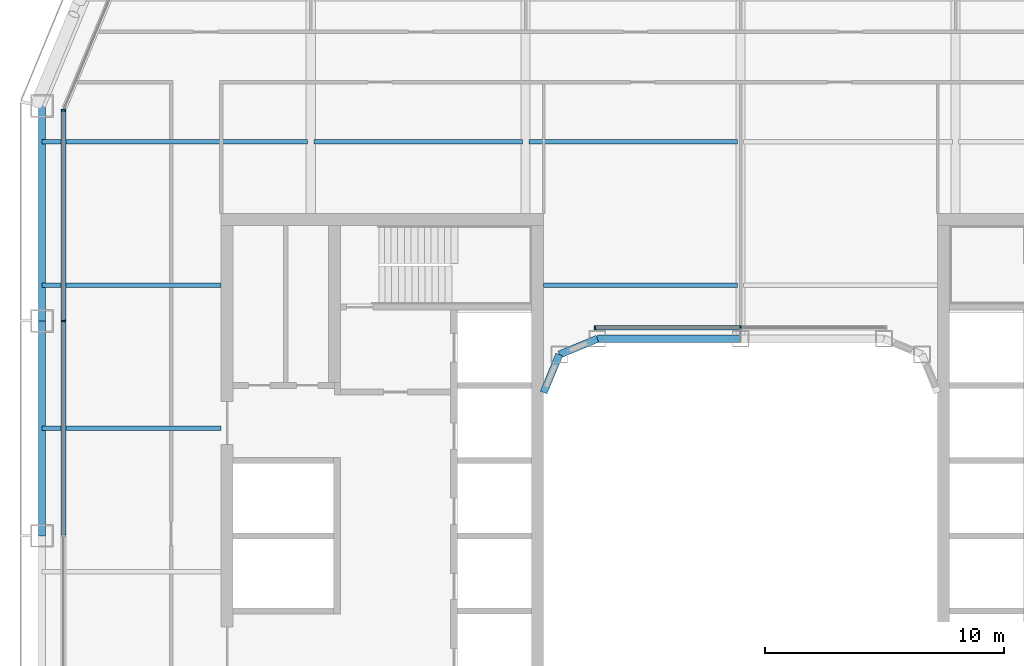
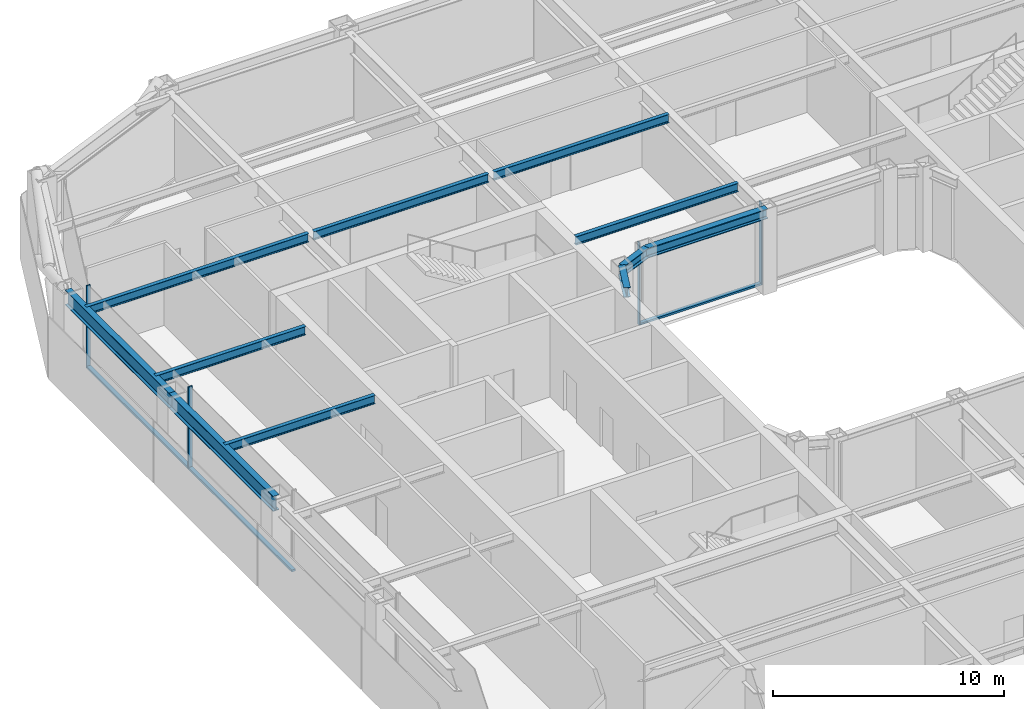
# One storey, part 6 of 23: 11 beams, 7 members, 2 elements without a shape of their own.
"""IFC4 building model written with IfcOpenShell, lengths in metres."""

from ifc_helpers import new_model, si_unit, direction, frame, origin, origin_2d, place, context, subcontext, project, spatial, rectangle, i_section, extrude, material, layer, layer_set, material_profile, profile_set, type_object, element, aggregate, save


model = new_model("IFC4")

# Units and contexts
model_context = context("Model", 3, precision=1e-05, world=origin(), true_north=direction((0.0, 1.0)))
body_context = subcontext(model_context, "Body", "Model", "MODEL_VIEW")
ifc_project = project(units=[si_unit("LENGTHUNIT", "METRE"), si_unit("AREAUNIT", "SQUARE_METRE"), si_unit("VOLUMEUNIT", "CUBIC_METRE"), si_unit("PLANEANGLEUNIT", "RADIAN"), si_unit("MASSUNIT", "GRAM", prefix="KILO")], contexts=[model_context])

# Site, building, storey
site_placement = place(None, origin())
site = spatial("IfcSite", under=ifc_project, at=site_placement, CompositionType="ELEMENT")
building_placement = place(site_placement, origin())
building = spatial("IfcBuilding", under=site, at=building_placement, Name="Siwar Civic Tower", CompositionType="ELEMENT")
storey_placement = place(building_placement, frame((0.0, 0.0, 131.699951171875)))
storey = spatial("IfcBuildingStorey", under=building, at=storey_placement, Name="L28", CompositionType="ELEMENT", Elevation=131.699951171875)

# Curtain wall, members
ifc_material_1 = material(Name="Aluminium and glass", Category="aluminium")
ifc_layer_1 = layer(ifc_material_1, 0.199951171875)
ifc_layer_set_1 = layer_set([ifc_layer_1], Name="Aluminium and glass")
curtain_wall_type_1 = type_object("IfcCurtainWallType", Name="ENV-CW-B", PredefinedType="NOTDEFINED", material=ifc_layer_set_1)
curtain_wall_1_placement = place(storey_placement, origin())
curtain_wall_1 = element("IfcCurtainWall", 1, at=curtain_wall_1_placement, inside=storey, type_object=curtain_wall_type_1, Name="Curtain wall B W", PredefinedType="NOTDEFINED")
ifc_material_2 = material(Name="Aluminium 6063-T6", Category="aluminium")
ifc_material_profile_1 = material_profile(ifc_material_2, rectangle(XDim=0.199951171875, YDim=0.06494140625, at=origin_2d()), Name="AL 200x65")
ifc_profile_set_1 = profile_set([ifc_material_profile_1], Name="Aluminium 6063-T6")
member_type_1 = type_object("IfcMemberType", Name="ENV-MULLION-B", PredefinedType="MULLION", material=ifc_profile_set_1)
member_1_placement = place(storey_placement, frame((-28.35009765625, 17.821044921875, 0.0), z_axis=(0.0, 0.0, 1.0), x_axis=(1.0, 0.0, 0.0)))
member_1 = element("IfcMember", 2, at=member_1_placement, type_object=member_type_1, Name="Mullion B W 1", PredefinedType="MULLION", context=body_context, shape_type="SweptSolid", body=[
    extrude(rectangle(XDim=0.199951171875, YDim=0.06494140625, at=origin_2d()), origin(), (0.0, 0.0, 1.0), 4.35009765625),
])
member_2_placement = place(storey_placement, frame((-28.35009765625, 9.0, 0.0), z_axis=(0.0, 0.0, 1.0), x_axis=(1.0, 0.0, 0.0)))
member_2 = element("IfcMember", 3, at=member_2_placement, type_object=member_type_1, Name="Mullion B W 2", PredefinedType="MULLION", context=body_context, shape_type="SweptSolid", body=[
    extrude(rectangle(XDim=0.199951171875, YDim=0.06494140625, at=origin_2d()), origin(), (0.0, 0.0, 1.0), 4.35009765625),
])

ifc_material_3 = material(Name="Aluminium and glass", Category="aluminium")
ifc_layer_2 = layer(ifc_material_3, 0.179931640625)
ifc_layer_set_2 = layer_set([ifc_layer_2], Name="Aluminium and glass")
curtain_wall_type_2 = type_object("IfcCurtainWallType", Name="ENV-CW-W", PredefinedType="NOTDEFINED", material=ifc_layer_set_2)
curtain_wall_2_placement = place(storey_placement, origin())
curtain_wall_2 = element("IfcCurtainWall", 4, at=curtain_wall_2_placement, inside=storey, type_object=curtain_wall_type_2, Name="Curtain wall W WN", PredefinedType="NOTDEFINED")
ifc_material_4 = material(Name="Aluminium 6063-T6", Category="aluminium")
ifc_material_profile_2 = material_profile(ifc_material_4, rectangle(XDim=0.179931640625, YDim=0.06005859375, at=origin_2d()), Name="AL 180x60")
ifc_profile_set_2 = profile_set([ifc_material_profile_2], Name="Aluminium 6063-T6")
member_type_2 = type_object("IfcMemberType", Name="ENV-MULLION-W", PredefinedType="MULLION", material=ifc_profile_set_2)
member_3_placement = place(storey_placement, frame((0.0, 8.7099609375, 0.0), z_axis=(0.0, 0.0, 1.0), x_axis=(0.0, -1.0, 0.0)))
member_3 = element("IfcMember", 5, at=member_3_placement, type_object=member_type_2, Name="Mullion W WN 2", PredefinedType="MULLION", context=body_context, shape_type="SweptSolid", body=[
    extrude(rectangle(XDim=0.179931640625, YDim=0.06005859375, at=origin_2d()), origin(), (0.0, 0.0, 1.0), 4.35009765625),
])
member_4_placement = place(storey_placement, frame((-6.091552734375, 8.7099609375, 0.0), z_axis=(0.0, 0.0, 1.0), x_axis=(0.0, -1.0, 0.0)))
member_4 = element("IfcMember", 6, at=member_4_placement, type_object=member_type_2, Name="Mullion W WN 3", PredefinedType="MULLION", context=body_context, shape_type="SweptSolid", body=[
    extrude(rectangle(XDim=0.179931640625, YDim=0.06005859375, at=origin_2d()), origin(), (0.0, 0.0, 1.0), 4.35009765625),
])

# Member
ifc_material_5 = material(Name="Aluminium 6063-T6", Category="aluminium")
ifc_material_profile_3 = material_profile(ifc_material_5, rectangle(XDim=0.199951171875, YDim=0.110107421875, at=origin_2d()), Name="AL 200x110")
ifc_profile_set_3 = profile_set([ifc_material_profile_3], Name="Aluminium 6063-T6")
member_type_3 = type_object("IfcMemberType", Name="ENV-TRANSOM-B", PredefinedType="USERDEFINED", material=ifc_profile_set_3)
member_5_placement = place(storey_placement, frame((-28.35009765625, 17.78857421875, 0.054931640625), z_axis=(0.0, -1.0, 0.0), x_axis=(1.0, 0.0, 0.0)))
member_5 = element("IfcMember", 7, at=member_5_placement, type_object=member_type_3, Name="Transom B W 1", ObjectType="TRANSOM", PredefinedType="USERDEFINED", context=body_context, shape_type="SweptSolid", body=[
    extrude(rectangle(XDim=0.199951171875, YDim=0.110107421875, at=origin_2d()), origin(), (0.0, 0.0, 1.0), 8.756103515625),
])

member_6_placement = place(storey_placement, frame((-28.35009765625, 8.967529296875, 0.054931640625), z_axis=(0.0, -1.0, 0.0), x_axis=(1.0, 0.0, 0.0)))
member_6 = element("IfcMember", 8, at=member_6_placement, type_object=member_type_3, Name="Transom B W 2", ObjectType="TRANSOM", PredefinedType="USERDEFINED", context=body_context, shape_type="SweptSolid", body=[
    extrude(rectangle(XDim=0.199951171875, YDim=0.110107421875, at=origin_2d()), origin(), (0.0, 0.0, 1.0), 8.93505859375),
])

aggregate(curtain_wall_1, [member_1, member_2, member_5, member_6])

ifc_material_6 = material(Name="Aluminium 6063-T6", Category="aluminium")
ifc_material_profile_4 = material_profile(ifc_material_6, rectangle(XDim=0.179931640625, YDim=0.10009765625, at=origin_2d()), Name="AL 180x100")
ifc_profile_set_4 = profile_set([ifc_material_profile_4], Name="Aluminium 6063-T6")
member_type_4 = type_object("IfcMemberType", Name="ENV-TRANSOM-W", PredefinedType="USERDEFINED", material=ifc_profile_set_4)
member_7_placement = place(storey_placement, frame((-0.030029296875, 8.7099609375, 0.050048828125), z_axis=(-1.0, 0.0, 0.0), x_axis=(0.0, -1.0, 0.0)))
member_7 = element("IfcMember", 9, at=member_7_placement, type_object=member_type_4, Name="Transom W WN 2", ObjectType="TRANSOM", PredefinedType="USERDEFINED", context=body_context, shape_type="SweptSolid", body=[
    extrude(rectangle(XDim=0.179931640625, YDim=0.10009765625, at=origin_2d()), origin(), (0.0, 0.0, 1.0), 6.031494140625),
])

aggregate(curtain_wall_2, [member_3, member_4, member_7])

# Beams
ifc_material_7 = material(Name="Steel S355", Category="steel")
ifc_material_profile_5 = material_profile(ifc_material_7, i_section(OverallWidth=0.18994140625, OverallDepth=0.449951171875, WebThickness=0.009521484375, FlangeThickness=0.0146484375, FilletRadius=0.02099609375, at=origin_2d()), Name="IPE450")
ifc_profile_set_5 = profile_set([ifc_material_profile_5], Name="Steel S355")
beam_type_1 = type_object("IfcBeamType", Name="STR-FB-IPE450", PredefinedType="JOIST", material=ifc_profile_set_5)
for number, where, z_axis, x_axis, name in (
    (10, (-29.25, 4.5, 4.125), (1.0, 0.0, 0.0), (0.0, 1.0, 0.0), "L28/bm/F025"),
    (11, (-29.25, 10.5, 4.125), (1.0, 0.0, 0.0), (0.0, 1.0, 0.0), "L28/bm/F027"),
):
    element("IfcBeam", number, at=place(storey_placement, frame(where, z_axis=z_axis, x_axis=x_axis)), inside=storey, type_object=beam_type_1, Name=name, PredefinedType="JOIST", context=body_context, shape_type="SweptSolid", body=[
        extrude(i_section(OverallWidth=0.18994140625, OverallDepth=0.449951171875, WebThickness=0.009521484375, FlangeThickness=0.0146484375, FilletRadius=0.02099609375, at=origin_2d()), origin(), (0.0, 0.0, 1.0), 7.5),
    ])
beam_1_placement = place(storey_placement, frame((-8.25, 10.5, 4.125), z_axis=(1.0, 0.0, 0.0), x_axis=(0.0, 1.0, 0.0)))
element("IfcBeam", 12, at=beam_1_placement, inside=storey, type_object=beam_type_1, Name="L28/bm/F028", PredefinedType="JOIST", context=body_context, shape_type="SweptSolid", body=[
    extrude(i_section(OverallWidth=0.18994140625, OverallDepth=0.449951171875, WebThickness=0.009521484375, FlangeThickness=0.0146484375, FilletRadius=0.02099609375, at=origin_2d()), origin(), (0.0, 0.0, 1.0), 8.1201171875),
])
beam_2_placement = place(storey_placement, frame((-29.25, 16.5, 4.125), z_axis=(1.0, 0.0, 0.0), x_axis=(0.0, 1.0, 0.0)))
element("IfcBeam", 13, at=beam_2_placement, inside=storey, type_object=beam_type_1, Name="L28/bm/F031", PredefinedType="JOIST", context=body_context, shape_type="SweptSolid", body=[
    extrude(i_section(OverallWidth=0.18994140625, OverallDepth=0.449951171875, WebThickness=0.009521484375, FlangeThickness=0.0146484375, FilletRadius=0.02099609375, at=origin_2d()), origin(), (0.0, 0.0, 1.0), 11.1201171875),
])
for number, where, z_axis, x_axis, name in (
    (14, (-17.8701171875, 16.5, 4.125), (1.0, 0.0, 0.0), (0.0, 1.0, 0.0), "L28/bm/F032"),
    (15, (-8.8701171875, 16.5, 4.125), (1.0, 0.0, 0.0), (0.0, 1.0, 0.0), "L28/bm/F033"),
):
    element("IfcBeam", number, at=place(storey_placement, frame(where, z_axis=z_axis, x_axis=x_axis)), inside=storey, type_object=beam_type_1, Name=name, PredefinedType="JOIST", context=body_context, shape_type="SweptSolid", body=[
        extrude(i_section(OverallWidth=0.18994140625, OverallDepth=0.449951171875, WebThickness=0.009521484375, FlangeThickness=0.0146484375, FilletRadius=0.02099609375, at=origin_2d()), origin(), (0.0, 0.0, 1.0), 8.740234375),
    ])
ifc_material_8 = material(Name="Steel S355", Category="steel")
ifc_material_profile_6 = material_profile(ifc_material_8, i_section(OverallWidth=0.305908203125, OverallDepth=0.52392578125, WebThickness=0.02099609375, FlangeThickness=0.0400390625, FilletRadius=0.027099609375, at=origin_2d()), Name="HEM500")
ifc_profile_set_6 = profile_set([ifc_material_profile_6], Name="Steel S355")
beam_type_2 = type_object("IfcBeamType", Name="STR-RB-HEM500", PredefinedType="BEAM", material=ifc_profile_set_6)
beam_3_placement = place(storey_placement, frame((-7.591064453125, 7.591064453125, 4.088134765625), z_axis=(0.923901072997, 0.382631424892, 0.0), x_axis=(-0.382631424892, 0.923901072997, 0.0)))
element("IfcBeam", 16, at=beam_3_placement, inside=storey, type_object=beam_type_2, Name="L28/bm/RN0", PredefinedType="BEAM", context=body_context, shape_type="SweptSolid", body=[
    extrude(i_section(OverallWidth=0.305908203125, OverallDepth=0.52392578125, WebThickness=0.02099609375, FlangeThickness=0.0400390625, FilletRadius=0.027099609375, at=origin_2d()), origin(), (0.0, 0.0, 1.0), 1.72216796875),
])
beam_4_placement = place(storey_placement, frame((-6.0, 8.25, 4.088134765625), z_axis=(1.0, 0.0, 0.0), x_axis=(0.0, 1.0, 0.0)))
element("IfcBeam", 17, at=beam_4_placement, inside=storey, type_object=beam_type_2, Name="L28/bm/RN1", PredefinedType="BEAM", context=body_context, shape_type="SweptSolid", body=[
    extrude(i_section(OverallWidth=0.305908203125, OverallDepth=0.52392578125, WebThickness=0.02099609375, FlangeThickness=0.0400390625, FilletRadius=0.027099609375, at=origin_2d()), origin(), (0.0, 0.0, 1.0), 6.0),
])
beam_5_placement = place(storey_placement, frame((-7.591064453125, 7.591064453125, 4.088134765625), z_axis=(-0.382631424892, -0.923901072997, 0.0), x_axis=(0.923901072997, -0.382631424892, 0.0)))
element("IfcBeam", 18, at=beam_5_placement, inside=storey, type_object=beam_type_2, Name="L28/bm/RNEW", PredefinedType="BEAM", context=body_context, shape_type="SweptSolid", body=[
    extrude(i_section(OverallWidth=0.305908203125, OverallDepth=0.52392578125, WebThickness=0.02099609375, FlangeThickness=0.0400390625, FilletRadius=0.027099609375, at=origin_2d()), origin(), (0.0, 0.0, 1.0), 1.72216796875),
])
ifc_material_9 = material(Name="Steel S355", Category="steel")
ifc_material_profile_7 = material_profile(ifc_material_9, i_section(OverallWidth=0.300048828125, OverallDepth=0.800048828125, WebThickness=0.017578125, FlangeThickness=0.032958984375, FilletRadius=0.030029296875, at=origin_2d()), Name="HEB800")
ifc_profile_set_7 = profile_set([ifc_material_profile_7], Name="Steel S355")
beam_type_3 = type_object("IfcBeamType", Name="STR-SB-HEB800", PredefinedType="BEAM", material=ifc_profile_set_7)
for number, where, z_axis, x_axis, name in (
    (19, (-29.25, 18.0, 3.949951171875), (0.0, -1.0, 0.0), (1.0, 0.0, 0.0), "L28/bm/SW-0"),
    (20, (-29.25, 9.0, 3.949951171875), (0.0, -1.0, 0.0), (1.0, 0.0, 0.0), "L28/bm/SW-1"),
):
    element("IfcBeam", number, at=place(storey_placement, frame(where, z_axis=z_axis, x_axis=x_axis)), inside=storey, type_object=beam_type_3, Name=name, PredefinedType="BEAM", context=body_context, shape_type="SweptSolid", body=[
        extrude(i_section(OverallWidth=0.300048828125, OverallDepth=0.800048828125, WebThickness=0.017578125, FlangeThickness=0.032958984375, FilletRadius=0.030029296875, at=origin_2d()), origin(), (0.0, 0.0, 1.0), 9.0),
    ])

save(model, "model.ifc")
